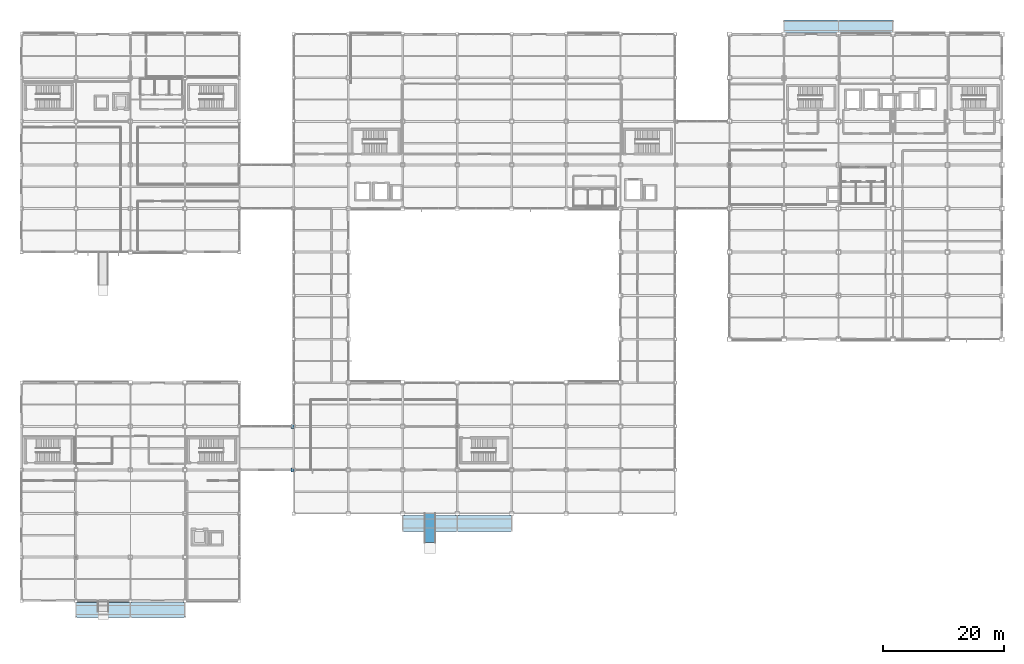
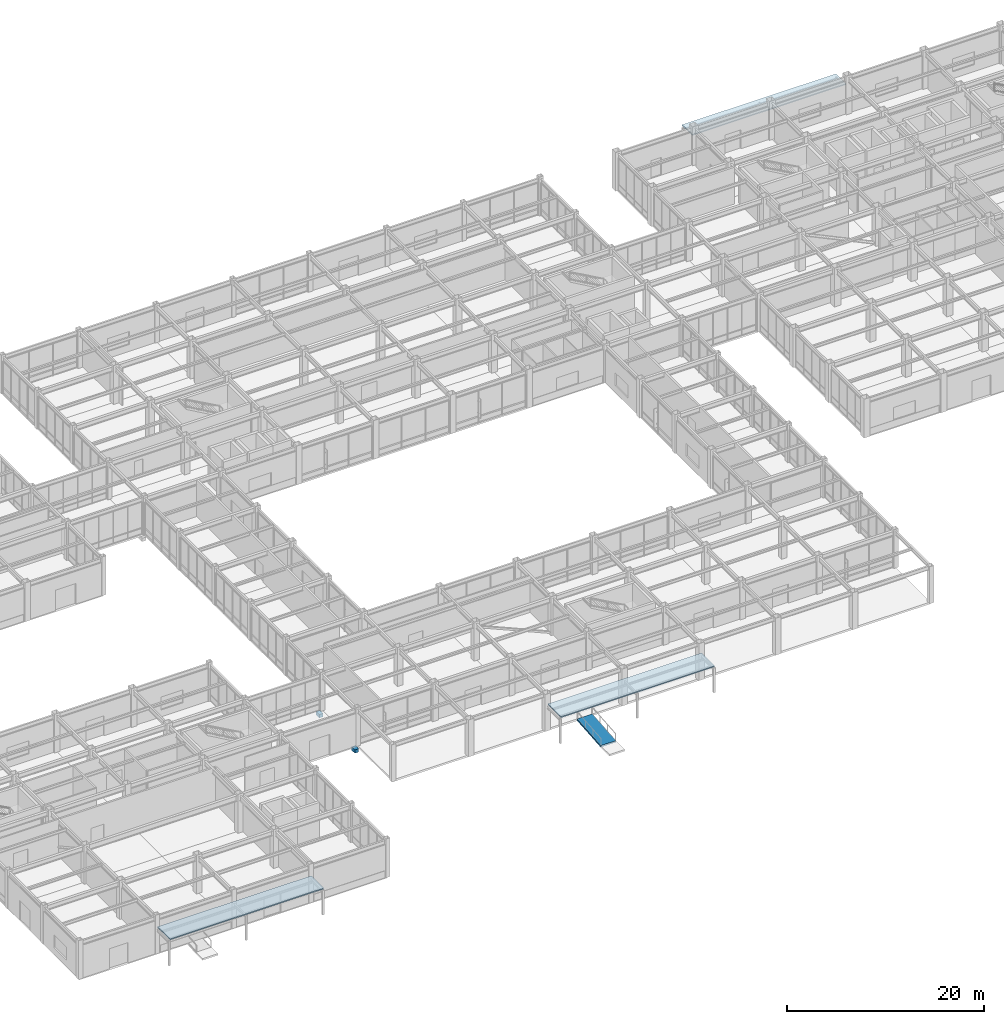
# One storey, part 97 of 112: 3 roofs, 2 discrete accessories, 1 ramp flight, 1 element without a shape of its own.
"""IFC4 building model written with IfcOpenShell, lengths in metres."""

from ifc_helpers import new_model, si_unit, direction, frame, origin, origin_2d, place, context, subcontext, project, spatial, polyline, rectangle, outline, extrude, material, layer, layer_set, type_object, element, aggregate, save


model = new_model("IFC4")

# Units and contexts
model_context = context("Model", 3, precision=1e-05, world=origin(), true_north=direction((0.0, 1.0)))
body_context = subcontext(model_context, "Body", "Model", "MODEL_VIEW")
ifc_project = project(units=[si_unit("LENGTHUNIT", "METRE"), si_unit("AREAUNIT", "SQUARE_METRE"), si_unit("VOLUMEUNIT", "CUBIC_METRE"), si_unit("PLANEANGLEUNIT", "RADIAN"), si_unit("MASSUNIT", "GRAM", prefix="KILO")], contexts=[model_context])

# Site, building, storey
site_placement = place(None, origin())
site = spatial("IfcSite", under=ifc_project, at=site_placement, CompositionType="ELEMENT")
building_placement = place(site_placement, origin())
building = spatial("IfcBuilding", under=site, at=building_placement, Name="Kazanami Central Library", CompositionType="ELEMENT")
storey_placement = place(building_placement, origin())
storey = spatial("IfcBuildingStorey", under=building, at=storey_placement, Name="L01", CompositionType="ELEMENT", Elevation=0.0)

# Ramp, ramp flight
ifc_material_1 = material(Name="Concrete Fc36 (36 MPa)", Category="concrete")
ramp_type = type_object("IfcRampType", Name="RMP-RMP-02", PredefinedType="STRAIGHT_RUN_RAMP", material=ifc_material_1)
ramp_placement = place(storey_placement, origin())
ramp = element("IfcRamp", 1, at=ramp_placement, inside=storey, type_object=ramp_type, Name="Accessible Promenade Ramp RMP-COLONNADE", PredefinedType="STRAIGHT_RUN_RAMP")
ramp_flight_type = type_object("IfcRampFlightType", Name="RFL-RMP-02", PredefinedType="STRAIGHT", material=ifc_material_1)
ramp_flight_placement = place(storey_placement, frame((67.5, 9.593994140625, -0.39990234375), z_axis=(0.0, 0.0, 1.0), x_axis=(0.0, 1.0, 0.0)))
ramp_flight = element("IfcRampFlight", 2, at=ramp_flight_placement, type_object=ramp_flight_type, Name="Accessible Promenade Ramp RMP-COLONNADE flight 1", PredefinedType="STRAIGHT", context=body_context, shape_type="SweptSolid", body=[
    extrude(outline(polyline([(0.0, 0.0), (4.81201171875, 0.39990234375), (4.81201171875, 0.199951171875), (0.0, -0.199951171875), (0.0, 0.0)])), frame((0.0, 0.89990234375, 0.0), z_axis=(0.0, -1.0, 0.0), x_axis=(1.0, 0.0, 0.0)), (0.0, 0.0, 1.0), 1.800048828125),
])
aggregate(ramp, [ramp_flight])

# Roofs
ifc_material_2 = material(Name="Polymer-Modified Bitumen", Category="earth")
ifc_layer = layer(ifc_material_2, 0.125, Name="Polymer-Modified Bitumen")
ifc_layer_set = layer_set([ifc_layer], Name="Polymer-Modified Bitumen")
roof_type = type_object("IfcRoofType", Name="ROOF-RF-03", PredefinedType="FLAT_ROOF", material=ifc_layer_set)
roof_1_placement = place(storey_placement, frame((0.0, 0.0, 3.22509765625)))
element("IfcRoof", 3, at=roof_1_placement, inside=storey, type_object=roof_type, Name="Entrance Canopy Waterproof Roof CAN-V3-SW", PredefinedType="FLAT_ROOF", context=body_context, shape_type="SweptSolid", body=[
    extrude(outline(polyline([(9.0, -2.800048828125), (27.0, -2.800048828125), (27.0, -0.280029296875), (9.0, -0.280029296875), (9.0, -2.800048828125)])), origin(), (0.0, 0.0, 1.0), 0.125),
])
roof_2_placement = place(storey_placement, frame((0.0, 0.0, 3.22509765625)))
element("IfcRoof", 4, at=roof_2_placement, inside=storey, type_object=roof_type, Name="Entrance Canopy Waterproof Roof CAN-V1-SOUTH", PredefinedType="FLAT_ROOF", context=body_context, shape_type="SweptSolid", body=[
    extrude(outline(polyline([(63.0, 11.39990234375), (81.0, 11.39990234375), (81.0, 14.050048828125), (63.0, 14.050048828125), (63.0, 11.39990234375)])), origin(), (0.0, 0.0, 1.0), 0.125),
])
roof_3_placement = place(storey_placement, frame((0.0, 0.0, 3.22509765625)))
element("IfcRoof", 5, at=roof_3_placement, inside=storey, type_object=roof_type, Name="Entrance Canopy Waterproof Roof CAN-V2-NORTH", PredefinedType="FLAT_ROOF", context=body_context, shape_type="SweptSolid", body=[
    extrude(outline(polyline([(126.0, 93.919921875), (144.0, 93.919921875), (144.0, 95.949951171875), (126.0, 95.949951171875), (126.0, 93.919921875)])), origin(), (0.0, 0.0, 1.0), 0.125),
])

# Discrete accessories
ifc_material_3 = material(Name="Stainless Steel SUS304", Category="steel")
discrete_accessory_type = type_object("IfcDiscreteAccessoryType", Name="ACC-CRB-460", PredefinedType="BRACKET", material=ifc_material_3)
for number, where, z_axis, x_axis, name in (
    (6, (44.77001953125, 21.60009765625, -0.695068359375), (0.0, 0.0, 1.0), (1.0, 0.0, 0.0), "Link Bridge Corbel Seat and Elastomeric Sliding Bearing L01 WS-1"),
    (7, (44.77001953125, 28.800048828125, -0.695068359375), (0.0, 0.0, 1.0), (1.0, 0.0, 0.0), "Link Bridge Corbel Seat and Elastomeric Sliding Bearing L01 WS-2"),
):
    element("IfcDiscreteAccessory", number, at=place(storey_placement, frame(where, z_axis=z_axis, x_axis=x_axis)), inside=storey, type_object=discrete_accessory_type, Name=name, PredefinedType="BRACKET", context=body_context, shape_type="SweptSolid", body=[
        extrude(rectangle(XDim=0.4599609375, YDim=0.64990234375, at=origin_2d()), origin(), (0.0, 0.0, 1.0), 0.419921875),
    ])

save(model, "model.ifc")
